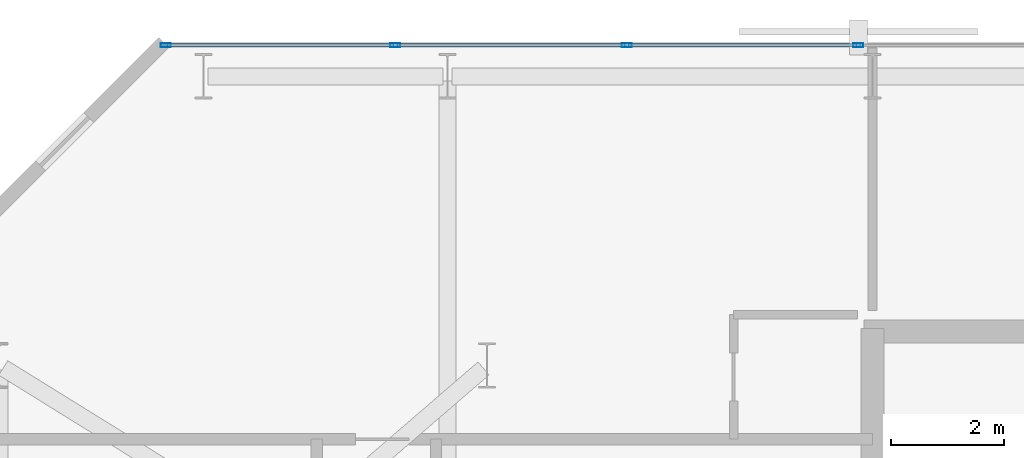
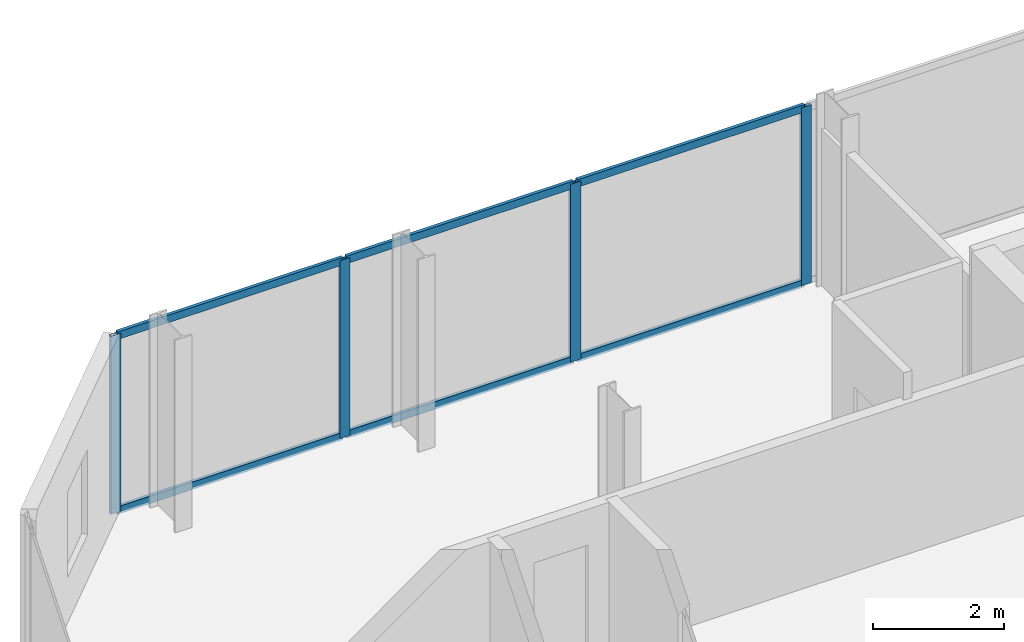
# One storey, part 22 of 33: 10 members, 1 element without a shape of its own.
"""IFC4 building model written with IfcOpenShell, lengths in metres."""

from ifc_helpers import new_model, si_unit, direction, frame, origin, origin_2d, place, context, subcontext, project, spatial, hollow_rectangle, extrude, material, layer, layer_set, material_profile, profile_set, type_object, element, aggregate, save


model = new_model("IFC4")

# Units and contexts
model_context = context("Model", 3, precision=1e-05, world=origin(), true_north=direction((0.0, 1.0)))
body_context = subcontext(model_context, "Body", "Model", "MODEL_VIEW")
ifc_project = project(units=[si_unit("LENGTHUNIT", "METRE"), si_unit("AREAUNIT", "SQUARE_METRE"), si_unit("VOLUMEUNIT", "CUBIC_METRE"), si_unit("PLANEANGLEUNIT", "RADIAN"), si_unit("MASSUNIT", "GRAM", prefix="KILO")], contexts=[model_context])

# Site, building, storey
site_placement = place(None, origin())
site = spatial("IfcSite", under=ifc_project, at=site_placement, CompositionType="ELEMENT")
building_placement = place(site_placement, origin())
building = spatial("IfcBuilding", under=site, at=building_placement, Name="Catumbela Crestline Tower", CompositionType="ELEMENT")
storey_placement = place(building_placement, frame((0.0, 0.0, 58.2)))
storey = spatial("IfcBuildingStorey", under=building, at=storey_placement, Name="L14", CompositionType="ELEMENT", Elevation=58.2)

# Curtain wall, members
ifc_material = material(Name="Aluminium alloy AW-6060-T66", Category="aluminium")
ifc_layer = layer(ifc_material, 0.18, Name="Aluminium alloy AW-6060-T66")
ifc_layer_set = layer_set([ifc_layer], Name="Aluminium alloy AW-6060-T66")
curtain_wall_type = type_object("IfcCurtainWallType", Name="CWU-Z1", PredefinedType="USERDEFINED", material=ifc_layer_set)
curtain_wall_placement = place(storey_placement, origin())
curtain_wall = element("IfcCurtainWall", 1, at=curtain_wall_placement, inside=storey, type_object=curtain_wall_type, Name="L14 Unitised Curtain Wall CW-L14-E7S1", ObjectType="UNITISED", PredefinedType="USERDEFINED")
ifc_material_profile_1 = material_profile(ifc_material, hollow_rectangle(XDim=0.065, YDim=0.18, WallThickness=0.004, at=origin_2d()), Name="ALU 180x65x4")
ifc_profile_set_1 = profile_set([ifc_material_profile_1], Name="Aluminium alloy AW-6060-T66")
member_type_1 = type_object("IfcMemberType", Name="MUL-180X65", PredefinedType="MULLION", material=ifc_profile_set_1)
member_1_placement = place(storey_placement, frame((15.75, 47.95, 0.0), z_axis=(0.0, 0.0, 1.0), x_axis=(0.0, -1.0, 0.0)))
member_1 = element("IfcMember", 2, at=member_1_placement, type_object=member_type_1, Name="CWU-Z1 mullion 10", PredefinedType="MULLION", context=body_context, shape_type="SweptSolid", body=[
    extrude(hollow_rectangle(XDim=0.065, YDim=0.18, WallThickness=0.004, at=origin_2d()), origin(), (0.0, 0.0, 1.0), 3.33),
])
member_2_placement = place(storey_placement, frame((11.6667, 47.95, 0.0), z_axis=(0.0, 0.0, 1.0), x_axis=(0.0, -1.0, 0.0)))
member_2 = element("IfcMember", 3, at=member_2_placement, type_object=member_type_1, Name="CWU-Z1 mullion 11", PredefinedType="MULLION", context=body_context, shape_type="SweptSolid", body=[
    extrude(hollow_rectangle(XDim=0.065, YDim=0.18, WallThickness=0.004, at=origin_2d()), origin(), (0.0, 0.0, 1.0), 3.33),
])
member_3_placement = place(storey_placement, frame((7.5833, 47.95, 0.0), z_axis=(0.0, 0.0, 1.0), x_axis=(0.0, -1.0, 0.0)))
member_3 = element("IfcMember", 4, at=member_3_placement, type_object=member_type_1, Name="CWU-Z1 mullion 12", PredefinedType="MULLION", context=body_context, shape_type="SweptSolid", body=[
    extrude(hollow_rectangle(XDim=0.065, YDim=0.18, WallThickness=0.004, at=origin_2d()), origin(), (0.0, 0.0, 1.0), 3.33),
])
member_4_placement = place(storey_placement, frame((3.5325, 47.95, 0.0), z_axis=(0.0, 0.0, 1.0), x_axis=(0.0, -1.0, 0.0)))
member_4 = element("IfcMember", 5, at=member_4_placement, type_object=member_type_1, Name="CWU-Z1 mullion 13", PredefinedType="MULLION", context=body_context, shape_type="SweptSolid", body=[
    extrude(hollow_rectangle(XDim=0.065, YDim=0.18, WallThickness=0.004, at=origin_2d()), origin(), (0.0, 0.0, 1.0), 3.33),
])
ifc_material_profile_2 = material_profile(ifc_material, hollow_rectangle(XDim=0.06, YDim=0.14, WallThickness=0.004, at=origin_2d()), Name="ALU 140x60x4")
ifc_profile_set_2 = profile_set([ifc_material_profile_2], Name="Aluminium alloy AW-6060-T66")
member_type_2 = type_object("IfcMemberType", Name="TRN-140X60", PredefinedType="USERDEFINED", material=ifc_profile_set_2)
member_5_placement = place(storey_placement, frame((15.7175, 47.95, 0.03), z_axis=(-1.0, 0.0, 0.0), x_axis=(0.0, -1.0, 0.0)))
member_5 = element("IfcMember", 6, at=member_5_placement, type_object=member_type_2, Name="CWU-Z1 transom 10.1", ObjectType="TRANSOM", PredefinedType="USERDEFINED", context=body_context, shape_type="SweptSolid", body=[
    extrude(hollow_rectangle(XDim=0.06, YDim=0.14, WallThickness=0.004, at=origin_2d()), origin(), (0.0, 0.0, 1.0), 4.0183),
])
member_6_placement = place(storey_placement, frame((15.7175, 47.95, 3.3), z_axis=(-1.0, 0.0, 0.0), x_axis=(0.0, -1.0, 0.0)))
member_6 = element("IfcMember", 7, at=member_6_placement, type_object=member_type_2, Name="CWU-Z1 transom 10.2", ObjectType="TRANSOM", PredefinedType="USERDEFINED", context=body_context, shape_type="SweptSolid", body=[
    extrude(hollow_rectangle(XDim=0.06, YDim=0.14, WallThickness=0.004, at=origin_2d()), origin(), (0.0, 0.0, 1.0), 4.0183),
])
member_7_placement = place(storey_placement, frame((11.6342, 47.95, 0.03), z_axis=(-1.0, 0.0, 0.0), x_axis=(0.0, -1.0, 0.0)))
member_7 = element("IfcMember", 8, at=member_7_placement, type_object=member_type_2, Name="CWU-Z1 transom 11.1", ObjectType="TRANSOM", PredefinedType="USERDEFINED", context=body_context, shape_type="SweptSolid", body=[
    extrude(hollow_rectangle(XDim=0.06, YDim=0.14, WallThickness=0.004, at=origin_2d()), origin(), (0.0, 0.0, 1.0), 4.0184),
])
member_8_placement = place(storey_placement, frame((11.6342, 47.95, 3.3), z_axis=(-1.0, 0.0, 0.0), x_axis=(0.0, -1.0, 0.0)))
member_8 = element("IfcMember", 9, at=member_8_placement, type_object=member_type_2, Name="CWU-Z1 transom 11.2", ObjectType="TRANSOM", PredefinedType="USERDEFINED", context=body_context, shape_type="SweptSolid", body=[
    extrude(hollow_rectangle(XDim=0.06, YDim=0.14, WallThickness=0.004, at=origin_2d()), origin(), (0.0, 0.0, 1.0), 4.0184),
])
member_9_placement = place(storey_placement, frame((7.5508, 47.95, 0.03), z_axis=(-1.0, 0.0, 0.0), x_axis=(0.0, -1.0, 0.0)))
member_9 = element("IfcMember", 10, at=member_9_placement, type_object=member_type_2, Name="CWU-Z1 transom 12.1", ObjectType="TRANSOM", PredefinedType="USERDEFINED", context=body_context, shape_type="SweptSolid", body=[
    extrude(hollow_rectangle(XDim=0.06, YDim=0.14, WallThickness=0.004, at=origin_2d()), origin(), (0.0, 0.0, 1.0), 3.9858),
])
member_10_placement = place(storey_placement, frame((7.5508, 47.95, 3.3), z_axis=(-1.0, 0.0, 0.0), x_axis=(0.0, -1.0, 0.0)))
member_10 = element("IfcMember", 11, at=member_10_placement, type_object=member_type_2, Name="CWU-Z1 transom 12.2", ObjectType="TRANSOM", PredefinedType="USERDEFINED", context=body_context, shape_type="SweptSolid", body=[
    extrude(hollow_rectangle(XDim=0.06, YDim=0.14, WallThickness=0.004, at=origin_2d()), origin(), (0.0, 0.0, 1.0), 3.9858),
])
aggregate(curtain_wall, [member_1, member_2, member_3, member_4, member_5, member_6, member_7, member_8, member_9, member_10])

save(model, "model.ifc")
